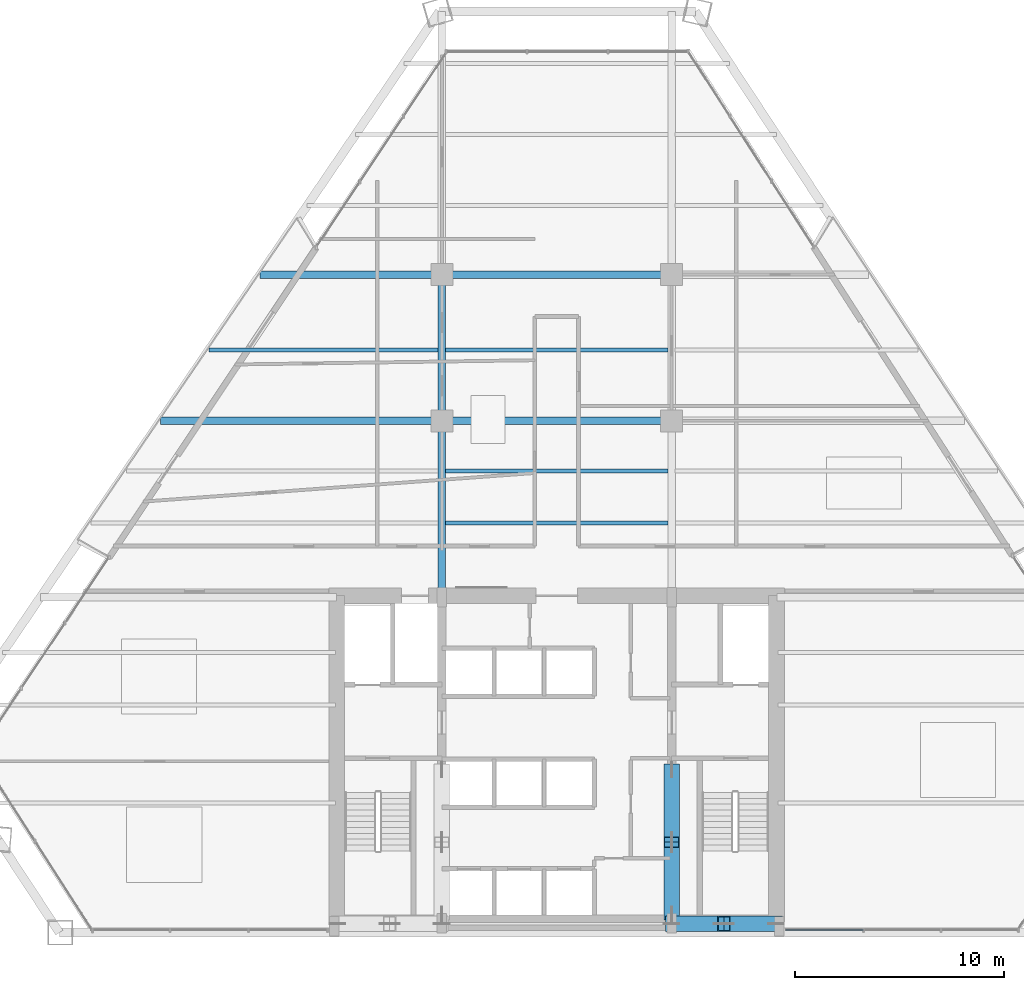
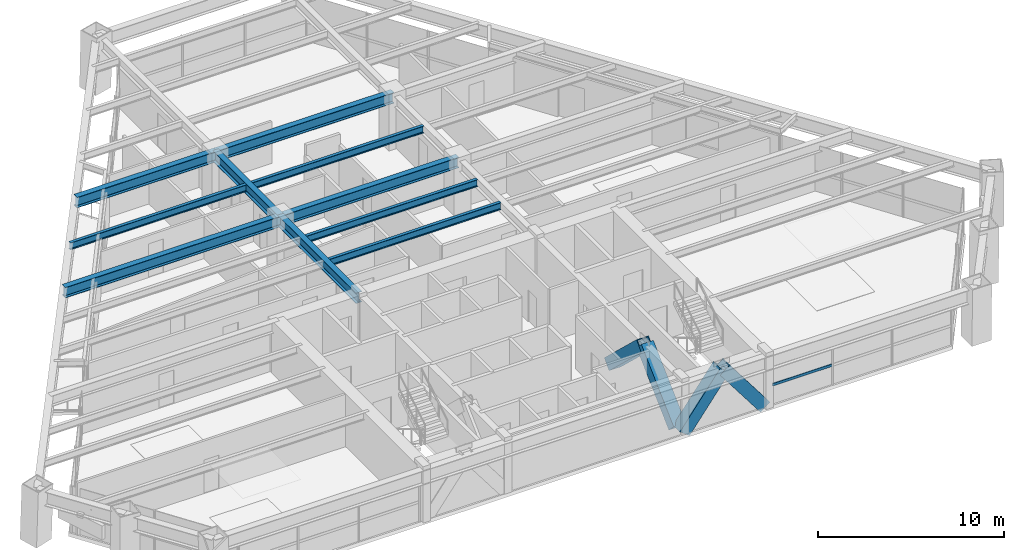
# One storey, part 5 of 14: 10 beams, 5 members, 1 element without a shape of its own.
"""IFC4 building model written with IfcOpenShell, lengths in metres."""

from ifc_helpers import new_model, si_unit, direction, frame, origin, origin_2d, place, context, subcontext, project, spatial, rectangle, hollow_rectangle, i_section, extrude, source, transform, mapped, material, material_profile, profile_set, type_object, type_shapes, element, aggregate, save


model = new_model("IFC4")

# Units and contexts
model_context = context("Model", 3, precision=1e-05, world=origin(), true_north=direction((0.0, 1.0)))
body_context = subcontext(model_context, "Body", "Model", "MODEL_VIEW")
ifc_project = project(units=[si_unit("LENGTHUNIT", "METRE"), si_unit("AREAUNIT", "SQUARE_METRE"), si_unit("VOLUMEUNIT", "CUBIC_METRE"), si_unit("PLANEANGLEUNIT", "RADIAN"), si_unit("MASSUNIT", "GRAM", prefix="KILO")], contexts=[model_context])

# Site, building, storey
site_placement = place(None, origin())
site = spatial("IfcSite", under=ifc_project, at=site_placement, CompositionType="ELEMENT")
building_placement = place(site_placement, origin())
building = spatial("IfcBuilding", under=site, at=building_placement, Name="Varnakhor Terracotta Tower", CompositionType="ELEMENT")
storey_placement = place(building_placement, frame((0.0, 0.0, 106.199951171875)))
storey = spatial("IfcBuildingStorey", under=building, at=storey_placement, Name="L26", CompositionType="ELEMENT", Elevation=106.199951171875)

# Beams
ifc_material_1 = material(Name="Steel S355", Category="steel")
ifc_material_profile_1 = material_profile(ifc_material_1, i_section(OverallWidth=0.35498046875, OverallDepth=0.695068359375, WebThickness=0.014892578125, FlangeThickness=0.02490234375, FilletRadius=0.01806640625, at=origin_2d()), Name="W27X146")
ifc_profile_set_1 = profile_set([ifc_material_profile_1], Name="Steel S355")
beam_type_1 = type_object("IfcBeamType", Name="BM-W27X146", PredefinedType="BEAM", material=ifc_profile_set_1)
shared_shape_1 = source(origin(), body_context, "Body", "SweptSolid", [
    extrude(i_section(OverallWidth=0.35498046875, OverallDepth=0.695068359375, WebThickness=0.014892578125, FlangeThickness=0.02490234375, FilletRadius=0.01806640625, at=origin_2d()), origin(), (0.0, 0.0, 1.0), 8.449951171875),
])
type_shapes(beam_type_1, [shared_shape_1])
beam_1_placement = place(storey_placement, frame((-5.5, 16.050048828125, 3.1025390625), z_axis=(0.0, 1.0, 0.0), x_axis=(-1.0, 0.0, 0.0)))
element("IfcBeam", 1, at=beam_1_placement, inside=storey, type_object=beam_type_1, Name="L26 Primary Girder NS1-W", PredefinedType="BEAM", context=body_context, shape_type="MappedRepresentation", body=[
    mapped(shared_shape_1, transform((0.0, 0.0, 0.0), scale=1.0)),
])
shared_shape_2 = source(origin(), body_context, "Body", "SweptSolid", [
    extrude(i_section(OverallWidth=0.35498046875, OverallDepth=0.695068359375, WebThickness=0.014892578125, FlangeThickness=0.02490234375, FilletRadius=0.01806640625, at=origin_2d()), origin(), (0.0, 0.0, 1.0), 7.0),
])
beam_2_placement = place(storey_placement, frame((-5.5, 24.5, 3.1025390625), z_axis=(0.0, 1.0, 0.0), x_axis=(-1.0, 0.0, 0.0)))
element("IfcBeam", 2, at=beam_2_placement, inside=storey, type_object=beam_type_1, Name="L26 Primary Girder NS2-W", PredefinedType="BEAM", context=body_context, shape_type="MappedRepresentation", body=[
    mapped(shared_shape_2, transform((0.0, 0.0, 0.0), scale=1.0)),
])
shared_shape_3 = source(origin(), body_context, "Body", "SweptSolid", [
    extrude(i_section(OverallWidth=0.35498046875, OverallDepth=0.695068359375, WebThickness=0.014892578125, FlangeThickness=0.02490234375, FilletRadius=0.01806640625, at=origin_2d()), origin(), (0.0, 0.0, 1.0), 11.0),
])
for number, where, z_axis, x_axis, name in (
    (3, (-5.5, 24.5, 3.1025390625), (1.0, 0.0, 0.0), (0.0, 1.0, 0.0), "L26 Primary Girder EW2-2"),
    (4, (-5.5, 31.5, 3.1025390625), (1.0, 0.0, 0.0), (0.0, 1.0, 0.0), "L26 Primary Girder EW3-2"),
):
    element("IfcBeam", number, at=place(storey_placement, frame(where, z_axis=z_axis, x_axis=x_axis)), inside=storey, type_object=beam_type_1, Name=name, PredefinedType="BEAM", context=body_context, shape_type="MappedRepresentation", body=[
        mapped(shared_shape_3, transform((0.0, 0.0, 0.0), scale=1.0)),
    ])
ifc_material_profile_2 = material_profile(ifc_material_1, i_section(OverallWidth=0.19189453125, OverallDepth=0.462890625, WebThickness=0.010498046875, FlangeThickness=0.017578125, FilletRadius=0.01806640625, at=origin_2d()), Name="W18X60")
ifc_profile_set_2 = profile_set([ifc_material_profile_2], Name="Steel S355")
beam_type_2 = type_object("IfcBeamType", Name="JST-W18X60", PredefinedType="JOIST", material=ifc_profile_set_2)
shared_shape_4 = source(origin(), body_context, "Body", "SweptSolid", [
    extrude(i_section(OverallWidth=0.19189453125, OverallDepth=0.462890625, WebThickness=0.010498046875, FlangeThickness=0.017578125, FilletRadius=0.01806640625, at=origin_2d()), origin(), (0.0, 0.0, 1.0), 10.65283203125),
])
for number, where, z_axis, x_axis, name in (
    (5, (-5.326416015625, 19.60009765625, 3.218505859375), (1.0, 0.0, 0.0), (0.0, 1.0, 0.0), "L26 Composite Floor Joist 4-2"),
    (6, (-5.326416015625, 22.10009765625, 3.218505859375), (1.0, 0.0, 0.0), (0.0, 1.0, 0.0), "L26 Composite Floor Joist 5-2"),
    (7, (-5.326416015625, 27.89990234375, 3.218505859375), (1.0, 0.0, 0.0), (0.0, 1.0, 0.0), "L26 Composite Floor Joist 6-2"),
):
    element("IfcBeam", number, at=place(storey_placement, frame(where, z_axis=z_axis, x_axis=x_axis)), inside=storey, type_object=beam_type_2, Name=name, PredefinedType="JOIST", context=body_context, shape_type="MappedRepresentation", body=[
        mapped(shared_shape_4, transform((0.0, 0.0, 0.0), scale=1.0)),
    ])

# Members
ifc_material_2 = material(Name="Steel S460", Category="steel")
ifc_material_profile_3 = material_profile(ifc_material_2, hollow_rectangle(XDim=0.75, YDim=0.75, WallThickness=0.044921875, at=origin_2d()), Name="HSS750X750X45")
ifc_profile_set_3 = profile_set([ifc_material_profile_3], Name="Steel S460")
member_type_1 = type_object("IfcMemberType", Name="MBR-MEGA-750", PredefinedType="BRACE", material=ifc_profile_set_3)
shared_shape_5 = source(origin(), body_context, "Body", "SweptSolid", [
    extrude(hollow_rectangle(XDim=0.75, YDim=0.75, WallThickness=0.044921875, at=origin_2d()), origin(), (0.0, 0.0, 1.0), 4.14013671875),
])
type_shapes(member_type_1, [shared_shape_5])
for number, where, z_axis, x_axis, name in (
    (8, (5.5, 0.419921875, 0.0), (0.603852011179, 0.0, 0.797096448741), (0.0, 1.0, 0.0), "L26 Core Coupled Brace CSEA"),
    (9, (10.5, 0.419921875, 0.0), (-0.603852011179, 0.0, 0.797096448741), (0.0, -1.0, 0.0), "L26 Core Coupled Brace CSEB"),
):
    element("IfcMember", number, at=place(storey_placement, frame(where, z_axis=z_axis, x_axis=x_axis)), inside=storey, type_object=member_type_1, Name=name, PredefinedType="BRACE", context=body_context, shape_type="MappedRepresentation", body=[
        mapped(shared_shape_5, transform((0.0, 0.0, 0.0), scale=1.0)),
    ])
shared_shape_6 = source(origin(), body_context, "Body", "SweptSolid", [
    extrude(hollow_rectangle(XDim=0.75, YDim=0.75, WallThickness=0.044921875, at=origin_2d()), origin(), (0.0, 0.0, 1.0), 4.792236328125),
])
for number, where, z_axis, x_axis, name in (
    (10, (5.5, 0.85009765625, 0.0), (0.0, 0.725110085518, 0.688632967466), (-1.0, 0.0, 0.0), "L26 Core Coupled Brace CWEA"),
    (11, (5.5, 7.800048828125, 0.0), (0.0, -0.72513424341, 0.688607529028), (1.0, 0.0, 0.0), "L26 Core Coupled Brace CWEB"),
):
    element("IfcMember", number, at=place(storey_placement, frame(where, z_axis=z_axis, x_axis=x_axis)), inside=storey, type_object=member_type_1, Name=name, PredefinedType="BRACE", context=body_context, shape_type="MappedRepresentation", body=[
        mapped(shared_shape_6, transform((0.0, 0.0, 0.0), scale=1.0)),
    ])

# Beams
shared_shape_7 = source(origin(), body_context, "Body", "SweptSolid", [
    extrude(i_section(OverallWidth=0.35498046875, OverallDepth=0.695068359375, WebThickness=0.014892578125, FlangeThickness=0.02490234375, FilletRadius=0.01806640625, at=origin_2d()), origin(), (0.0, 0.0, 1.0), 13.462890625),
])
beam_3_placement = place(storey_placement, frame((-18.962890625, 24.5, 3.1025390625), z_axis=(1.0, 0.0, 0.0), x_axis=(0.0, 1.0, 0.0)))
element("IfcBeam", 12, at=beam_3_placement, inside=storey, type_object=beam_type_1, Name="L26 Primary Girder EW2-1", PredefinedType="BEAM", context=body_context, shape_type="MappedRepresentation", body=[
    mapped(shared_shape_7, transform((0.0, 0.0, 0.0), scale=1.0)),
])
shared_shape_8 = source(origin(), body_context, "Body", "SweptSolid", [
    extrude(i_section(OverallWidth=0.35498046875, OverallDepth=0.695068359375, WebThickness=0.014892578125, FlangeThickness=0.02490234375, FilletRadius=0.01806640625, at=origin_2d()), origin(), (0.0, 0.0, 1.0), 8.6943359375),
])
beam_4_placement = place(storey_placement, frame((-14.1943359375, 31.5, 3.1025390625), z_axis=(1.0, 0.0, 0.0), x_axis=(0.0, 1.0, 0.0)))
element("IfcBeam", 13, at=beam_4_placement, inside=storey, type_object=beam_type_1, Name="L26 Primary Girder EW3-1", PredefinedType="BEAM", context=body_context, shape_type="MappedRepresentation", body=[
    mapped(shared_shape_8, transform((0.0, 0.0, 0.0), scale=1.0)),
])
shared_shape_9 = source(origin(), body_context, "Body", "SweptSolid", [
    extrude(i_section(OverallWidth=0.19189453125, OverallDepth=0.462890625, WebThickness=0.010498046875, FlangeThickness=0.017578125, FilletRadius=0.01806640625, at=origin_2d()), origin(), (0.0, 0.0, 1.0), 10.973388671875),
])
beam_5_placement = place(storey_placement, frame((-16.64697265625, 27.89990234375, 3.218505859375), z_axis=(1.0, 0.0, 0.0), x_axis=(0.0, 1.0, 0.0)))
element("IfcBeam", 14, at=beam_5_placement, inside=storey, type_object=beam_type_2, Name="L26 Composite Floor Joist 6-1", PredefinedType="JOIST", context=body_context, shape_type="MappedRepresentation", body=[
    mapped(shared_shape_9, transform((0.0, 0.0, 0.0), scale=1.0)),
])

# Curtain wall, member
ifc_material_3 = material(Name="Anodised Aluminium Curtain Wall System", Category="aluminium")
curtain_wall_type = type_object("IfcCurtainWallType", Name="CW-SYS-LOW-OFFICE", PredefinedType="NOTDEFINED", material=ifc_material_3)
curtain_wall_placement = place(storey_placement, origin())
curtain_wall = element("IfcCurtainWall", 15, at=curtain_wall_placement, inside=storey, type_object=curtain_wall_type, Name="L26 South Wing Curtain Wall SSE", PredefinedType="NOTDEFINED")
ifc_material_4 = material(Name="Anodised Aluminium 6063-T6", Category="aluminium")
ifc_material_profile_4 = material_profile(ifc_material_4, rectangle(XDim=0.074951171875, YDim=0.1650390625, at=origin_2d()), Name="ALU TRANSOM 75x165")
ifc_profile_set_4 = profile_set([ifc_material_profile_4], Name="Anodised Aluminium 6063-T6")
member_type_2 = type_object("IfcMemberType", Name="CWT-02", PredefinedType="USERDEFINED", material=ifc_profile_set_4)
shared_shape_10 = source(origin(), body_context, "Body", "SweptSolid", [
    extrude(rectangle(XDim=0.074951171875, YDim=0.1650390625, at=origin_2d()), origin(), (0.0, 0.0, 1.0), 3.713134765625),
])
member_placement = place(storey_placement, frame((14.68310546875, 0.1201171875, 1.272705078125), z_axis=(-1.0, 0.0, 0.0), x_axis=(0.0, -1.0, 0.0)))
member = element("IfcMember", 16, at=member_placement, type_object=member_type_2, Name="L26 South Wing Curtain Wall SSE Transom 3", ObjectType="TRANSOM", PredefinedType="USERDEFINED", context=body_context, shape_type="MappedRepresentation", body=[
    mapped(shared_shape_10, transform((0.0, 0.0, 0.0), scale=1.0)),
])
aggregate(curtain_wall, [member])

save(model, "model.ifc")
